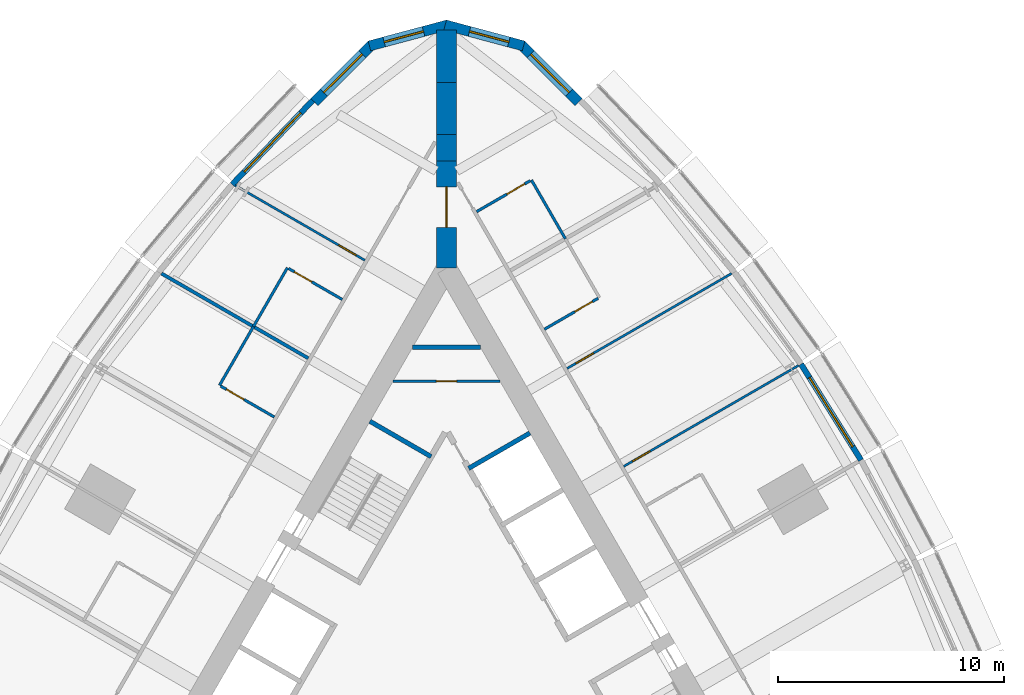
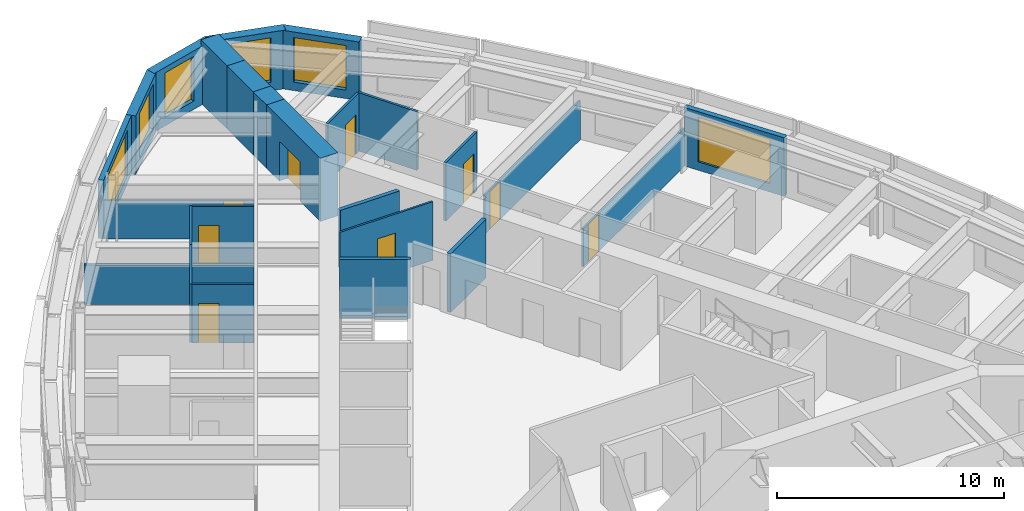
# One storey, part 13 of 15: 25 walls, 9 doors, 6 windows, 15 openings.
"""IFC4 building model written with IfcOpenShell, lengths in metres."""

import ifcopenshell
import ifcopenshell.guid

model = None  # the IFC model being written
_history = None  # IfcOwnerHistory: only IFC2X3 demands one
_inside = {}  # id of a spatial element -> (the spatial element, [elements in it])
_under = {}  # id of a project, library or spatial element -> (it, [spatial elements below it])
_declared = {}  # id of a project -> (the project, [libraries it declares])
_typed = {}  # id of a type object -> (the type object, [elements of that type])
_made_of = {}  # id of a material, layer set ... -> (it, [elements and type objects made of it])


def new_model(schema):
    """Start an empty IFC model of exactly this schema.

    Asked for "IFC4X3", IfcOpenShell would pick the latest addendum, in which some entities
    have other attributes; the version numbers below select the first issue.
    IFC2X3 requires an IfcOwnerHistory on every rooted entity: one is made here for all.
    """
    global model, _history
    if schema == "IFC4X3":
        model = ifcopenshell.file(schema_version=(4, 3, 0, 0))
    else:
        model = ifcopenshell.file(schema=schema)
    _inside.clear()
    _under.clear()
    _declared.clear()
    _typed.clear()
    _made_of.clear()
    _history = None
    if model.schema == "IFC2X3":
        org = make("IfcOrganization", Name="unknown")
        user = make(
            "IfcPersonAndOrganization",
            ThePerson=make("IfcPerson", FamilyName="unknown"),
            TheOrganization=org,
        )
        app = make(
            "IfcApplication",
            ApplicationDeveloper=org,
            Version="unknown",
            ApplicationFullName="unknown",
            ApplicationIdentifier="unknown",
        )
        _history = make(
            "IfcOwnerHistory",
            OwningUser=user,
            OwningApplication=app,
            ChangeAction="ADDED",
            CreationDate=0,
        )
    return model


def make(cls, **values):
    """One entity of the class cls with the attributes given. An attribute that is None is left unset."""
    return model.create_entity(
        cls, **{name: value for name, value in values.items() if value is not None}
    )


def rooted(cls, **values):
    """An entity with a GlobalId (a new one), such as an element, a storey or a relation."""
    return make(cls, GlobalId=ifcopenshell.guid.new(), OwnerHistory=_history, **values)


def si_unit(unit_type, name, prefix=None):
    """IfcSIUnit, for example si_unit("LENGTHUNIT", "METRE", prefix="MILLI")."""
    return make("IfcSIUnit", UnitType=unit_type, Prefix=prefix, Name=name)


def assignment(units):
    """IfcUnitAssignment: the units of a project."""
    return None if units is None else make("IfcUnitAssignment", Units=units)


def point(xyz):
    """IfcCartesianPoint."""
    return None if xyz is None else make("IfcCartesianPoint", Coordinates=xyz)


def direction(xyz):
    """IfcDirection."""
    return None if xyz is None else make("IfcDirection", DirectionRatios=xyz)


def frame(location, z_axis=None, x_axis=None):
    """IfcAxis2Placement3D, a coordinate frame: its origin and axes. An axis left out is left unset."""
    return make(
        "IfcAxis2Placement3D",
        Location=point(location),
        Axis=direction(z_axis),
        RefDirection=direction(x_axis),
    )


def frame_2d(location, x_axis=None):
    """IfcAxis2Placement2D, a coordinate frame in the plane: its origin and x axis."""
    return make(
        "IfcAxis2Placement2D", Location=point(location), RefDirection=direction(x_axis)
    )


def origin():
    """The frame at (0, 0, 0) with its axes left unset."""
    return frame((0.0, 0.0, 0.0))


def place(relative_to, where):
    """IfcLocalPlacement: puts the frame where relative to a parent placement (None: the world)."""
    return make(
        "IfcLocalPlacement", PlacementRelTo=relative_to, RelativePlacement=where
    )


def context(
    kind, dimensions, precision=None, world=None, true_north=None, identifier=None
):
    """IfcGeometricRepresentationContext, for example the 3D "Model" context."""
    return make(
        "IfcGeometricRepresentationContext",
        ContextIdentifier=identifier,
        ContextType=kind,
        CoordinateSpaceDimension=dimensions,
        Precision=precision,
        WorldCoordinateSystem=world,
        TrueNorth=true_north,
    )


def subcontext(parent, identifier, kind, view, scale=None):
    """IfcGeometricRepresentationSubContext, for example "Body" below "Model"."""
    return make(
        "IfcGeometricRepresentationSubContext",
        ContextIdentifier=identifier,
        ContextType=kind,
        ParentContext=parent,
        TargetScale=scale,
        TargetView=view,
    )


def project(units=None, contexts=None):
    """IfcProject with its units and contexts."""
    return rooted(
        "IfcProject",
        Name="project",
        RepresentationContexts=contexts,
        UnitsInContext=assignment(units),
    )


def spatial(cls, under=None, at=None, **own):
    """A site, building, storey or space (cls), placed at a placement, below another one or the project."""
    s = rooted(cls, ObjectPlacement=at, **own)
    if under is not None:
        _under.setdefault(under.id(), (under, []))[1].append(s)
    return s


def polyline(points):
    """IfcPolyline through the points."""
    return make("IfcPolyline", Points=[point(p) for p in points])


def profile(cls, at=None, kind="AREA", **sizes):
    """A parametric profile (cls). Its sizes go by their IFC names, for example OverallWidth=200.0."""
    return make(cls, ProfileType=kind, Position=at, **sizes)


def rectangle(**sizes):
    """IfcRectangleProfileDef."""
    return profile("IfcRectangleProfileDef", **sizes)


def outline(outer, holes=None, kind="AREA"):
    """IfcArbitraryClosedProfileDef: a profile drawn as a closed curve; with holes, ...WithVoids."""
    if holes is None:
        return make("IfcArbitraryClosedProfileDef", ProfileType=kind, OuterCurve=outer)
    return make(
        "IfcArbitraryProfileDefWithVoids",
        ProfileType=kind,
        OuterCurve=outer,
        InnerCurves=holes,
    )


def extrude(swept, where, along, depth):
    """IfcExtrudedAreaSolid: the profile swept, set in the frame where, extruded along a direction by depth."""
    return make(
        "IfcExtrudedAreaSolid",
        SweptArea=swept,
        Position=where,
        ExtrudedDirection=direction(along),
        Depth=depth,
    )


def shape(context_of_items, identifier, shape_type, items):
    """IfcShapeRepresentation: the items that make up one representation, for example the "Body"."""
    return make(
        "IfcShapeRepresentation",
        ContextOfItems=context_of_items,
        RepresentationIdentifier=identifier,
        RepresentationType=shape_type,
        Items=items,
    )


def material(Name=None, Category=None):
    """IfcMaterial."""
    return make("IfcMaterial", Name=Name, Category=Category)


def layer(
    of_material, thickness, ventilated=None, Name=None, Category=None, Priority=None
):
    """IfcMaterialLayer: one layer of a wall or slab, of a material (None: an air gap)."""
    return make(
        "IfcMaterialLayer",
        Material=of_material,
        LayerThickness=thickness,
        IsVentilated=ventilated,
        Name=Name,
        Category=Category,
        Priority=Priority,
    )


def layer_set(layers, Name=None):
    """IfcMaterialLayerSet."""
    return make("IfcMaterialLayerSet", MaterialLayers=layers, LayerSetName=Name)


def made_of(thing, what):
    """Note that an element or type object is made of a material, layer set ...; save() writes the relation."""
    if what is not None:
        _made_of.setdefault(what.id(), (what, []))[1].append(thing)
    return thing


def type_object(cls, material=None, **own):
    """A type object (cls), such as IfcWallType, which elements share."""
    return made_of(rooted(cls, **own), material)


def element(
    cls,
    number,
    at=None,
    inside=None,
    cuts=None,
    type_object=None,
    material=None,
    context=None,
    identifier="Body",
    shape_type=None,
    held_by="IfcProductDefinitionShape",
    body=None,
    shapes=None,
    **own,
):
    """One element of the class cls, such as IfcWall. Its Tag is "e" and its number.

    at: its placement. inside: the storey or other place that contains it. cuts: it is an
    opening in that element (IfcRelVoidsElement). A single representation is given by context,
    identifier, shape_type and body (its items); several are given by shapes. held_by: the class
    of the entity that holds the representations. save() writes the other relations.
    """
    e = rooted(cls, Tag="e%d" % number, ObjectPlacement=at, **own)
    if body is not None:
        shapes = [shape(context, identifier, shape_type, body)]
    if shapes is not None:
        e.Representation = make(held_by, Representations=shapes)
    if inside is not None:
        _inside.setdefault(inside.id(), (inside, []))[1].append(e)
    if cuts is not None:
        rooted(
            "IfcRelVoidsElement", RelatingBuildingElement=cuts, RelatedOpeningElement=e
        )
    if type_object is not None:
        _typed.setdefault(type_object.id(), (type_object, []))[1].append(e)
    return made_of(e, material)


def fill(opening, filler):
    """IfcRelFillsElement: the door or window that sits in an opening."""
    return rooted(
        "IfcRelFillsElement",
        RelatingOpeningElement=opening,
        RelatedBuildingElement=filler,
    )


def aggregate(whole, parts):
    """IfcRelAggregates: a whole, such as a stair, and the parts it consists of."""
    return rooted("IfcRelAggregates", RelatingObject=whole, RelatedObjects=parts)


def save(model, path):
    """Write the relations noted so far, then the file.

    IfcRelAggregates (storeys below a building ...), IfcRelContainedInSpatialStructure (elements
    in a storey), IfcRelDefinesByType, IfcRelAssociatesMaterial and IfcRelDeclares: one each for
    every whole, place, type object, material and project.
    """
    for whole, parts in _under.values():
        aggregate(whole, parts)
    for where, things in _inside.values():
        rooted(
            "IfcRelContainedInSpatialStructure",
            RelatedElements=things,
            RelatingStructure=where,
        )
    for kind, things in _typed.values():
        rooted("IfcRelDefinesByType", RelatedObjects=things, RelatingType=kind)
    for what, things in _made_of.values():
        rooted("IfcRelAssociatesMaterial", RelatedObjects=things, RelatingMaterial=what)
    for by, libraries in _declared.values():
        rooted("IfcRelDeclares", RelatingContext=by, RelatedDefinitions=libraries)
    model.write(path)


model = new_model("IFC4")

# Units and contexts
model_context = context("Model", 3, precision=1e-05, world=origin(), true_north=direction((0.0, 1.0)))
body_context = subcontext(model_context, "Body", "Model", "MODEL_VIEW")
ifc_project = project(units=[si_unit("LENGTHUNIT", "METRE"), si_unit("AREAUNIT", "SQUARE_METRE"), si_unit("VOLUMEUNIT", "CUBIC_METRE"), si_unit("PLANEANGLEUNIT", "RADIAN"), si_unit("MASSUNIT", "GRAM", prefix="KILO")], contexts=[model_context])

# Site, building, storey
site_placement = place(None, origin())
site = spatial("IfcSite", under=ifc_project, at=site_placement, CompositionType="ELEMENT")
building_placement = place(site_placement, origin())
building = spatial("IfcBuilding", under=site, at=building_placement, Name="Trikona Tower", CompositionType="ELEMENT")
storey_placement = place(building_placement, frame((0.0, 0.0, 186.10009765625)))
storey = spatial("IfcBuildingStorey", under=building, at=storey_placement, Name="L50", CompositionType="ELEMENT", Elevation=186.10009765625)

# Wall, opening, door
ifc_material_1 = material(Name="Metal stud and cement board", Category="gypsum")
ifc_layer_1 = layer(ifc_material_1, 0.1201171875)
ifc_layer_set_1 = layer_set([ifc_layer_1], Name="Bathroom wall 120")
wall_type_1 = type_object("IfcWallType", Name="Bathroom wall 120", PredefinedType="PLUMBINGWALL", material=ifc_layer_set_1)
wall_1_placement = place(storey_placement, frame((4.32861328125, 16.35546875, 0.0), z_axis=(0.0, 0.0, 1.0), x_axis=(0.866035715982, 0.499982138324, 0.0)))
wall_1 = element("IfcWall", 1, at=wall_1_placement, inside=storey, type_object=wall_type_1, Name="Bathroom wall 5007.2", PredefinedType="PLUMBINGWALL", context=body_context, shape_type="SweptSolid", body=[
    extrude(rectangle(XDim=2.73974609375, YDim=0.1201171875, at=frame_2d((1.369873046875, 0.0))), origin(), (0.0, 0.0, 1.0), 3.14990234375),
])
opening_1_placement = place(wall_1_placement, frame((1.550048828125, 0.0, 0.0)))
opening_1 = element("IfcOpeningElement", 2, at=opening_1_placement, cuts=wall_1, Name="Opening D2", PredefinedType="OPENING", context=body_context, shape_type="SweptSolid", body=[
    extrude(rectangle(XDim=0.89990234375, YDim=2.1298828125, at=frame_2d((0.449951171875, 1.06494140625))), frame((0.0, 0.070068359375, 0.0), z_axis=(0.0, -1.0, 0.0), x_axis=(1.0, 0.0, 0.0)), (0.0, 0.0, 1.0), 0.14013671875),
])
ifc_material_2 = material(Name="Steel door frame with solid-core timber leaf", Category="steel")
door_type_1 = type_object("IfcDoorType", Name="Bathroom door 900x2130", OperationType="SLIDING_TO_LEFT", PredefinedType="DOOR", material=ifc_material_2)
door_1_placement = place(opening_1_placement, origin())
door_1 = element("IfcDoor", 3, at=door_1_placement, inside=storey, type_object=door_type_1, Name="Bathroom door 5007.2", OperationType="SLIDING_TO_LEFT", OverallHeight=2.1298828125, OverallWidth=0.89990234375, PredefinedType="DOOR", context=body_context, shape_type="SweptSolid", body=[
    extrude(rectangle(XDim=0.89990234375, YDim=2.1298828125, at=frame_2d((0.449951171875, 1.06494140625))), frame((0.0, 0.02490234375, 0.0), z_axis=(0.0, -1.0, 0.0), x_axis=(1.0, 0.0, 0.0)), (0.0, 0.0, 1.0), 0.050048828125),
])
fill(opening_1, door_1)

# Wall
wall_2_placement = place(storey_placement, frame((5.25341796875, 20.353515625, 0.0), z_axis=(0.0, 0.0, 1.0), x_axis=(-0.499990139034, 0.866031096941, 0.0)))
element("IfcWall", 4, at=wall_2_placement, inside=storey, type_object=wall_type_1, Name="Bathroom wall 5008", PredefinedType="PLUMBINGWALL", context=body_context, shape_type="SweptSolid", body=[
    extrude(rectangle(XDim=3.0, YDim=0.1201171875, at=frame_2d((1.5, 0.0))), origin(), (0.0, 0.0, 1.0), 3.14990234375),
])

# Wall, opening, door
wall_3_placement = place(storey_placement, frame((1.32861328125, 21.551513671875, 0.0), z_axis=(0.0, 0.0, 1.0), x_axis=(0.865997131366, 0.500048966069, 0.0)))
wall_3 = element("IfcWall", 5, at=wall_3_placement, inside=storey, type_object=wall_type_1, Name="Bathroom wall 5008", PredefinedType="PLUMBINGWALL", context=body_context, shape_type="SweptSolid", body=[
    extrude(rectangle(XDim=2.739990234375, YDim=0.1201171875, at=frame_2d((1.3701171875, 0.0))), origin(), (0.0, 0.0, 1.0), 3.14990234375),
])
opening_2_placement = place(wall_3_placement, frame((1.550048828125, 0.0, 0.0)))
opening_2 = element("IfcOpeningElement", 6, at=opening_2_placement, cuts=wall_3, Name="Opening D2", PredefinedType="OPENING", context=body_context, shape_type="SweptSolid", body=[
    extrude(rectangle(XDim=0.89990234375, YDim=2.1298828125, at=frame_2d((0.449951171875, 1.06494140625))), frame((0.0, 0.070068359375, 0.0), z_axis=(0.0, -1.0, 0.0), x_axis=(1.0, 0.0, 0.0)), (0.0, 0.0, 1.0), 0.14013671875),
])
door_2_placement = place(opening_2_placement, origin())
door_2 = element("IfcDoor", 7, at=door_2_placement, inside=storey, type_object=door_type_1, Name="Bathroom door 5008", OperationType="SLIDING_TO_LEFT", OverallHeight=2.1298828125, OverallWidth=0.89990234375, PredefinedType="DOOR", context=body_context, shape_type="SweptSolid", body=[
    extrude(rectangle(XDim=0.89990234375, YDim=2.1298828125, at=frame_2d((0.449951171875, 1.06494140625))), frame((0.0, 0.02490234375, 0.0), z_axis=(0.0, -1.0, 0.0), x_axis=(1.0, 0.0, 0.0)), (0.0, 0.0, 1.0), 0.050048828125),
])
fill(opening_2, door_2)

# Wall
wall_4_placement = place(storey_placement, frame((-7.03271484375, 19.071533203125, 0.0), z_axis=(0.0, 0.0, 1.0), x_axis=(-0.499990139034, -0.866031096941, 0.0)))
element("IfcWall", 8, at=wall_4_placement, inside=storey, type_object=wall_type_1, Name="Bathroom wall 5009.1", PredefinedType="PLUMBINGWALL", context=body_context, shape_type="SweptSolid", body=[
    extrude(rectangle(XDim=3.0, YDim=0.1201171875, at=frame_2d((1.5, 0.0))), origin(), (0.0, 0.0, 1.0), 3.14990234375),
])

# Wall, opening, door
wall_5_placement = place(storey_placement, frame((-4.60791015625, 17.67138671875, 0.0), z_axis=(0.0, 0.0, 1.0), x_axis=(-0.865997131366, 0.500048966069, 0.0)))
wall_5 = element("IfcWall", 9, at=wall_5_placement, inside=storey, type_object=wall_type_1, Name="Bathroom wall 5009.1", PredefinedType="PLUMBINGWALL", context=body_context, shape_type="SweptSolid", body=[
    extrude(rectangle(XDim=2.739990234375, YDim=0.1201171875, at=frame_2d((1.3701171875, 0.0))), origin(), (0.0, 0.0, 1.0), 3.14990234375),
])
opening_3_placement = place(wall_5_placement, frame((1.550048828125, 0.0, 0.0)))
opening_3 = element("IfcOpeningElement", 10, at=opening_3_placement, cuts=wall_5, Name="Opening D2", PredefinedType="OPENING", context=body_context, shape_type="SweptSolid", body=[
    extrude(rectangle(XDim=0.89990234375, YDim=2.1298828125, at=frame_2d((0.449951171875, 1.06494140625))), frame((0.0, 0.070068359375, 0.0), z_axis=(0.0, -1.0, 0.0), x_axis=(1.0, 0.0, 0.0)), (0.0, 0.0, 1.0), 0.14013671875),
])
door_3_placement = place(opening_3_placement, origin())
door_3 = element("IfcDoor", 11, at=door_3_placement, inside=storey, type_object=door_type_1, Name="Bathroom door 5009.1", OperationType="SLIDING_TO_LEFT", OverallHeight=2.1298828125, OverallWidth=0.89990234375, PredefinedType="DOOR", context=body_context, shape_type="SweptSolid", body=[
    extrude(rectangle(XDim=0.89990234375, YDim=2.1298828125, at=frame_2d((0.449951171875, 1.06494140625))), frame((0.0, 0.02490234375, 0.0), z_axis=(0.0, -1.0, 0.0), x_axis=(1.0, 0.0, 0.0)), (0.0, 0.0, 1.0), 0.050048828125),
])
fill(opening_3, door_3)

# Wall
wall_6_placement = place(storey_placement, frame((-8.53271484375, 16.473388671875, 0.0), z_axis=(0.0, 0.0, 1.0), x_axis=(-0.499990139034, -0.866031096941, 0.0)))
element("IfcWall", 12, at=wall_6_placement, inside=storey, type_object=wall_type_1, Name="Bathroom wall 5010.1", PredefinedType="PLUMBINGWALL", context=body_context, shape_type="SweptSolid", body=[
    extrude(rectangle(XDim=3.0, YDim=0.1201171875, at=frame_2d((1.5, 0.0))), origin(), (0.0, 0.0, 1.0), 3.14990234375),
])

# Wall, opening, door
wall_7_placement = place(storey_placement, frame((-7.60791015625, 12.475341796875, 0.0), z_axis=(0.0, 0.0, 1.0), x_axis=(-0.866035715982, 0.499982138324, 0.0)))
wall_7 = element("IfcWall", 13, at=wall_7_placement, inside=storey, type_object=wall_type_1, Name="Bathroom wall 5010.1", PredefinedType="PLUMBINGWALL", context=body_context, shape_type="SweptSolid", body=[
    extrude(rectangle(XDim=2.73974609375, YDim=0.1201171875, at=frame_2d((1.369873046875, 0.0))), origin(), (0.0, 0.0, 1.0), 3.14990234375),
])
opening_4_placement = place(wall_7_placement, frame((1.550048828125, 0.0, 0.0)))
opening_4 = element("IfcOpeningElement", 14, at=opening_4_placement, cuts=wall_7, Name="Opening D2", PredefinedType="OPENING", context=body_context, shape_type="SweptSolid", body=[
    extrude(rectangle(XDim=0.89990234375, YDim=2.1298828125, at=frame_2d((0.449951171875, 1.06494140625))), frame((0.0, 0.070068359375, 0.0), z_axis=(0.0, -1.0, 0.0), x_axis=(1.0, 0.0, 0.0)), (0.0, 0.0, 1.0), 0.14013671875),
])
door_4_placement = place(opening_4_placement, origin())
door_4 = element("IfcDoor", 15, at=door_4_placement, inside=storey, type_object=door_type_1, Name="Bathroom door 5010.1", OperationType="SLIDING_TO_LEFT", OverallHeight=2.1298828125, OverallWidth=0.89990234375, PredefinedType="DOOR", context=body_context, shape_type="SweptSolid", body=[
    extrude(rectangle(XDim=0.89990234375, YDim=2.1298828125, at=frame_2d((0.449951171875, 1.06494140625))), frame((0.0, 0.02490234375, 0.0), z_axis=(0.0, -1.0, 0.0), x_axis=(1.0, 0.0, 0.0)), (0.0, 0.0, 1.0), 0.050048828125),
])
fill(opening_4, door_4)

# Wall, opening, window
ifc_material_3 = material(Name="Brick-faced precast concrete", Category="masonry")
ifc_layer_2 = layer(ifc_material_3, 0.449951171875)
ifc_layer_set_2 = layer_set([ifc_layer_2], Name="Brick-faced corner wall 450")
wall_type_2 = type_object("IfcWallType", Name="Brick-faced corner wall 450", PredefinedType="SOLIDWALL", material=ifc_layer_set_2)
wall_8_placement = place(storey_placement, frame((5.8408203125, 26.39892578125, 0.0), z_axis=(0.0, 0.0, 1.0), x_axis=(-0.707106781187, 0.707106781187, 0.0)))
wall_8 = element("IfcWall", 16, at=wall_8_placement, inside=storey, type_object=wall_type_2, Name="External wall L50-20", PredefinedType="SOLIDWALL", context=body_context, shape_type="SweptSolid", body=[
    extrude(rectangle(XDim=3.586181640625, YDim=0.449951171875, at=frame_2d((1.79296875, 0.0))), origin(), (0.0, 0.0, 1.0), 3.14990234375),
])
opening_5_placement = place(wall_8_placement, frame((0.59326171875, 0.0, 0.449951171875)))
opening_5 = element("IfcOpeningElement", 17, at=opening_5_placement, cuts=wall_8, Name="Opening W2424", PredefinedType="OPENING", context=body_context, shape_type="SweptSolid", body=[
    extrude(rectangle(XDim=2.39990234375, YDim=2.39990234375, at=frame_2d((1.199951171875, 1.199951171875))), frame((0.0, 0.23486328125, 0.0), z_axis=(0.0, -1.0, 0.0), x_axis=(1.0, 0.0, 0.0)), (0.0, 0.0, 1.0), 0.469970703125),
])
ifc_material_4 = material(Name="Aluminium-framed double glazing", Category="aluminium")
window_type_1 = type_object("IfcWindowType", Name="Window 2400x2400", PartitioningType="SINGLE_PANEL", PredefinedType="WINDOW", material=ifc_material_4)
window_1_placement = place(opening_5_placement, origin())
window_1 = element("IfcWindow", 18, at=window_1_placement, inside=storey, type_object=window_type_1, Name="Window 5008", OverallHeight=2.39990234375, OverallWidth=2.39990234375, PartitioningType="SINGLE_PANEL", PredefinedType="WINDOW", context=body_context, shape_type="SweptSolid", body=[
    extrude(rectangle(XDim=2.39990234375, YDim=2.39990234375, at=frame_2d((1.199951171875, 1.199951171875))), frame((0.0, 0.030029296875, 0.0), z_axis=(0.0, -1.0, 0.0), x_axis=(1.0, 0.0, 0.0)), (0.0, 0.0, 1.0), 0.06005859375),
])
fill(opening_5, window_1)

wall_9_placement = place(storey_placement, frame((3.406005859375, 28.876708984375, 0.0), z_axis=(0.0, 0.0, 1.0), x_axis=(-0.965924653531, 0.258823421857, 0.0)))
wall_9 = element("IfcWall", 19, at=wall_9_placement, inside=storey, type_object=wall_type_2, Name="External wall L50-21", PredefinedType="SOLIDWALL", context=body_context, shape_type="SweptSolid", body=[
    extrude(outline(polyline([(3.58642578125, 0.22509765625), (3.526611328125, 0.22509765625), (3.035400390625, 0.09326171875), (3.0, 0.22509765625), (0.0, 0.22509765625), (0.0, -0.22509765625), (3.58642578125, -0.22509765625), (3.58642578125, 0.22509765625)])), origin(), (0.0, 0.0, 1.0), 3.14990234375),
])
opening_6_placement = place(wall_9_placement, frame((0.6748046875, 0.0, 0.449951171875)))
opening_6 = element("IfcOpeningElement", 20, at=opening_6_placement, cuts=wall_9, Name="Opening W1824", PredefinedType="OPENING", context=body_context, shape_type="SweptSolid", body=[
    extrude(rectangle(XDim=1.800048828125, YDim=2.39990234375, at=frame_2d((0.89990234375, 1.199951171875))), frame((0.0, 0.23486328125, 0.0), z_axis=(0.0, -1.0, 0.0), x_axis=(1.0, 0.0, 0.0)), (0.0, 0.0, 1.0), 0.469970703125),
])
ifc_material_5 = material(Name="Aluminium-framed double glazing", Category="aluminium")
window_type_2 = type_object("IfcWindowType", Name="Window 1800x2400", PartitioningType="SINGLE_PANEL", PredefinedType="WINDOW", material=ifc_material_5)
window_2_placement = place(opening_6_placement, origin())
window_2 = element("IfcWindow", 21, at=window_2_placement, inside=storey, type_object=window_type_2, Name="Window 5008", OverallHeight=2.39990234375, OverallWidth=1.800048828125, PartitioningType="SINGLE_PANEL", PredefinedType="WINDOW", context=body_context, shape_type="SweptSolid", body=[
    extrude(rectangle(XDim=1.800048828125, YDim=2.39990234375, at=frame_2d((0.89990234375, 1.199951171875))), frame((0.0, 0.030029296875, 0.0), z_axis=(0.0, -1.0, 0.0), x_axis=(1.0, 0.0, 0.0)), (0.0, 0.0, 1.0), 0.06005859375),
])
fill(opening_6, window_2)

wall_10_placement = place(storey_placement, frame((0.05810546875, 29.804931640625, 0.0), z_axis=(0.0, 0.0, 1.0), x_axis=(-0.965924653531, -0.258823421857, 0.0)))
wall_10 = element("IfcWall", 22, at=wall_10_placement, inside=storey, type_object=wall_type_2, Name="External wall L50-22", PredefinedType="SOLIDWALL", context=body_context, shape_type="SweptSolid", body=[
    extrude(outline(polyline([(3.58642578125, 0.22509765625), (0.58642578125, 0.22509765625), (0.551025390625, 0.09326171875), (0.0595703125, 0.22509765625), (0.0, 0.22509765625), (0.0, -0.22509765625), (3.58642578125, -0.22509765625), (3.58642578125, 0.22509765625)])), origin(), (0.0, 0.0, 1.0), 3.14990234375),
])
opening_7_placement = place(wall_10_placement, frame((1.111328125, 0.0, 0.449951171875)))
opening_7 = element("IfcOpeningElement", 23, at=opening_7_placement, cuts=wall_10, Name="Opening W1824", PredefinedType="OPENING", context=body_context, shape_type="SweptSolid", body=[
    extrude(rectangle(XDim=1.800048828125, YDim=2.39990234375, at=frame_2d((0.89990234375, 1.199951171875))), frame((0.0, 0.23486328125, 0.0), z_axis=(0.0, -1.0, 0.0), x_axis=(1.0, 0.0, 0.0)), (0.0, 0.0, 1.0), 0.469970703125),
])
window_3_placement = place(opening_7_placement, origin())
window_3 = element("IfcWindow", 24, at=window_3_placement, inside=storey, type_object=window_type_2, Name="Window 5009", OverallHeight=2.39990234375, OverallWidth=1.800048828125, PartitioningType="SINGLE_PANEL", PredefinedType="WINDOW", context=body_context, shape_type="SweptSolid", body=[
    extrude(rectangle(XDim=1.800048828125, YDim=2.39990234375, at=frame_2d((0.89990234375, 1.199951171875))), frame((0.0, 0.030029296875, 0.0), z_axis=(0.0, -1.0, 0.0), x_axis=(1.0, 0.0, 0.0)), (0.0, 0.0, 1.0), 0.06005859375),
])
fill(opening_7, window_3)

wall_11_placement = place(storey_placement, frame((-3.304931640625, 28.934814453125, 0.0), z_axis=(0.0, 0.0, 1.0), x_axis=(-0.707106781187, -0.707106781187, 0.0)))
wall_11 = element("IfcWall", 25, at=wall_11_placement, inside=storey, type_object=wall_type_2, Name="External wall L50-23", PredefinedType="SOLIDWALL", context=body_context, shape_type="SweptSolid", body=[
    extrude(rectangle(XDim=3.586181640625, YDim=0.449951171875, at=frame_2d((1.79296875, 0.0))), origin(), (0.0, 0.0, 1.0), 3.14990234375),
])
opening_8_placement = place(wall_11_placement, frame((0.59326171875, 0.0, 0.449951171875)))
opening_8 = element("IfcOpeningElement", 26, at=opening_8_placement, cuts=wall_11, Name="Opening W2424", PredefinedType="OPENING", context=body_context, shape_type="SweptSolid", body=[
    extrude(rectangle(XDim=2.39990234375, YDim=2.39990234375, at=frame_2d((1.199951171875, 1.199951171875))), frame((0.0, 0.23486328125, 0.0), z_axis=(0.0, -1.0, 0.0), x_axis=(1.0, 0.0, 0.0)), (0.0, 0.0, 1.0), 0.469970703125),
])
window_4_placement = place(opening_8_placement, origin())
window_4 = element("IfcWindow", 27, at=window_4_placement, inside=storey, type_object=window_type_1, Name="Window 5009", OverallHeight=2.39990234375, OverallWidth=2.39990234375, PartitioningType="SINGLE_PANEL", PredefinedType="WINDOW", context=body_context, shape_type="SweptSolid", body=[
    extrude(rectangle(XDim=2.39990234375, YDim=2.39990234375, at=frame_2d((1.199951171875, 1.199951171875))), frame((0.0, 0.030029296875, 0.0), z_axis=(0.0, -1.0, 0.0), x_axis=(1.0, 0.0, 0.0)), (0.0, 0.0, 1.0), 0.06005859375),
])
fill(opening_8, window_4)

# Wall, opening, door
ifc_material_6 = material(Name="Concrete f'c 10000 psi", Category="concrete")
ifc_layer_3 = layer(ifc_material_6, 0.89990234375)
ifc_layer_set_3 = layer_set([ifc_layer_3], Name="Buttress wall 900")
wall_type_3 = type_object("IfcWallType", Name="Buttress wall 900", PredefinedType="SHEAR", material=ifc_layer_set_3)
wall_12_placement = place(storey_placement, frame((0.0, 19.052490234375, 0.0), z_axis=(0.0, 0.0, 1.0), x_axis=(0.0, 1.0, 0.0)))
wall_12 = element("IfcWall", 28, at=wall_12_placement, inside=storey, type_object=wall_type_3, Name="Buttress wall 2", PredefinedType="SHEAR", context=body_context, shape_type="SweptSolid", body=[
    extrude(rectangle(XDim=4.74609375, YDim=0.89990234375, at=frame_2d((2.373046875, 0.0))), origin(), (0.0, 0.0, 1.0), 3.39990234375),
])
opening_9_placement = place(wall_12_placement, frame((1.800048828125, 0.0, 0.0)))
opening_9 = element("IfcOpeningElement", 29, at=opening_9_placement, cuts=wall_12, Name="Opening D10", PredefinedType="OPENING", context=body_context, shape_type="SweptSolid", body=[
    extrude(rectangle(XDim=1.800048828125, YDim=2.1298828125, at=frame_2d((0.89990234375, 1.06494140625))), frame((0.0, 0.4599609375, 0.0), z_axis=(0.0, -1.0, 0.0), x_axis=(1.0, 0.0, 0.0)), (0.0, 0.0, 1.0), 0.919921875),
])
ifc_material_7 = material(Name="Hollow metal door and frame", Category="steel")
door_type_2 = type_object("IfcDoorType", Name="Cross-corridor door pair 1800x2130", OperationType="DOUBLE_DOOR_DOUBLE_SWING", PredefinedType="DOOR", material=ifc_material_7)
door_5_placement = place(opening_9_placement, origin())
door_5 = element("IfcDoor", 30, at=door_5_placement, inside=storey, type_object=door_type_2, Name="Cross-corridor door 2", OperationType="DOUBLE_DOOR_DOUBLE_SWING", OverallHeight=2.1298828125, OverallWidth=1.800048828125, PredefinedType="DOOR", context=body_context, shape_type="SweptSolid", body=[
    extrude(rectangle(XDim=1.800048828125, YDim=2.1298828125, at=frame_2d((0.89990234375, 1.06494140625))), frame((0.0, 0.02490234375, 0.0), z_axis=(0.0, -1.0, 0.0), x_axis=(1.0, 0.0, 0.0)), (0.0, 0.0, 1.0), 0.050048828125),
])
fill(opening_9, door_5)

# Walls
wall_13_placement = place(storey_placement, frame((0.0, 23.798583984375, 0.0), z_axis=(0.0, 0.0, 1.0), x_axis=(0.0, 1.0, 0.0)))
element("IfcWall", 31, at=wall_13_placement, inside=storey, type_object=wall_type_3, Name="Buttress wall 2 part 2", PredefinedType="SHEAR", context=body_context, shape_type="SweptSolid", body=[
    extrude(rectangle(XDim=1.15478515625, YDim=0.89990234375, at=frame_2d((0.577392578125, 0.0))), origin(), (0.0, 0.0, 1.0), 3.39990234375),
])
wall_14_placement = place(storey_placement, frame((0.0, 24.953369140625, 0.0), z_axis=(0.0, 0.0, 1.0), x_axis=(0.0, 1.0, 0.0)))
element("IfcWall", 32, at=wall_14_placement, inside=storey, type_object=wall_type_3, Name="Buttress wall 2 part 3", PredefinedType="SHEAR", context=body_context, shape_type="SweptSolid", body=[
    extrude(rectangle(XDim=2.309326171875, YDim=0.89990234375, at=frame_2d((1.15478515625, 0.0))), origin(), (0.0, 0.0, 1.0), 3.39990234375),
])
wall_15_placement = place(storey_placement, frame((0.0, 27.2626953125, 0.0), z_axis=(0.0, 0.0, 1.0), x_axis=(0.0, 1.0, 0.0)))
element("IfcWall", 33, at=wall_15_placement, inside=storey, type_object=wall_type_3, Name="Buttress wall 2 part 4", PredefinedType="SHEAR", context=body_context, shape_type="SweptSolid", body=[
    extrude(rectangle(XDim=2.3095703125, YDim=0.89990234375, at=frame_2d((1.15478515625, 0.0))), origin(), (0.0, 0.0, 1.0), 3.39990234375),
])

# Wall, opening, window
ifc_material_8 = material(Name="Insulated precast concrete spandrel panel", Category="concrete")
ifc_layer_4 = layer(ifc_material_8, 0.25)
ifc_layer_set_4 = layer_set([ifc_layer_4], Name="Inner skin wall 250")
wall_type_4 = type_object("IfcWallType", Name="Inner skin wall 250", PredefinedType="STANDARD", material=ifc_layer_set_4)
wall_16_placement = place(storey_placement, frame((18.31884765625, 10.5712890625, 0.0), z_axis=(0.0, 0.0, 1.0), x_axis=(-0.529990167382, 0.84800378683, 0.0)))
wall_16 = element("IfcWall", 34, at=wall_16_placement, inside=storey, type_object=wall_type_4, Name="External wall L50-16", PredefinedType="STANDARD", context=body_context, shape_type="SweptSolid", body=[
    extrude(rectangle(XDim=5.003173828125, YDim=0.25, at=frame_2d((2.50146484375, 0.0))), origin(), (0.0, 0.0, 1.0), 3.14990234375),
])
opening_10_placement = place(wall_16_placement, frame((0.701416015625, 0.0, 0.449951171875)))
opening_10 = element("IfcOpeningElement", 35, at=opening_10_placement, cuts=wall_16, Name="Opening W3624", PredefinedType="OPENING", context=body_context, shape_type="SweptSolid", body=[
    extrude(rectangle(XDim=3.60009765625, YDim=2.39990234375, at=frame_2d((1.800048828125, 1.199951171875))), frame((0.0, 0.135009765625, 0.0), z_axis=(0.0, -1.0, 0.0), x_axis=(1.0, 0.0, 0.0)), (0.0, 0.0, 1.0), 0.27001953125),
])
ifc_material_9 = material(Name="Aluminium-framed double glazing", Category="aluminium")
window_type_3 = type_object("IfcWindowType", Name="Window 3600x2400", PartitioningType="SINGLE_PANEL", PredefinedType="WINDOW", material=ifc_material_9)
window_5_placement = place(opening_10_placement, origin())
window_5 = element("IfcWindow", 36, at=window_5_placement, inside=storey, type_object=window_type_3, Name="Window 5007.1", OverallHeight=2.39990234375, OverallWidth=3.60009765625, PartitioningType="SINGLE_PANEL", PredefinedType="WINDOW", context=body_context, shape_type="SweptSolid", body=[
    extrude(rectangle(XDim=3.60009765625, YDim=2.39990234375, at=frame_2d((1.800048828125, 1.199951171875))), frame((0.0, 0.030029296875, 0.0), z_axis=(0.0, -1.0, 0.0), x_axis=(1.0, 0.0, 0.0)), (0.0, 0.0, 1.0), 0.06005859375),
])
fill(opening_10, window_5)

wall_17_placement = place(storey_placement, frame((-5.90966796875, 26.4716796875, 0.0), z_axis=(0.0, 0.0, 1.0), x_axis=(-0.691719937936, -0.722165858693, 0.0)))
wall_17 = element("IfcWall", 37, at=wall_17_placement, inside=storey, type_object=wall_type_4, Name="External wall L50-24", PredefinedType="STANDARD", context=body_context, shape_type="SweptSolid", body=[
    extrude(rectangle(XDim=5.148193359375, YDim=0.25, at=frame_2d((2.57421875, 0.0))), origin(), (0.0, 0.0, 1.0), 3.14990234375),
])
opening_11_placement = place(wall_17_placement, frame((0.77392578125, 0.0, 0.449951171875)))
opening_11 = element("IfcOpeningElement", 38, at=opening_11_placement, cuts=wall_17, Name="Opening W3624", PredefinedType="OPENING", context=body_context, shape_type="SweptSolid", body=[
    extrude(rectangle(XDim=3.60009765625, YDim=2.39990234375, at=frame_2d((1.800048828125, 1.199951171875))), frame((0.0, 0.135009765625, 0.0), z_axis=(0.0, -1.0, 0.0), x_axis=(1.0, 0.0, 0.0)), (0.0, 0.0, 1.0), 0.27001953125),
])
window_6_placement = place(opening_11_placement, origin())
window_6 = element("IfcWindow", 39, at=window_6_placement, inside=storey, type_object=window_type_3, Name="Window 5009", OverallHeight=2.39990234375, OverallWidth=3.60009765625, PartitioningType="SINGLE_PANEL", PredefinedType="WINDOW", context=body_context, shape_type="SweptSolid", body=[
    extrude(rectangle(XDim=3.60009765625, YDim=2.39990234375, at=frame_2d((1.800048828125, 1.199951171875))), frame((0.0, 0.030029296875, 0.0), z_axis=(0.0, -1.0, 0.0), x_axis=(1.0, 0.0, 0.0)), (0.0, 0.0, 1.0), 0.06005859375),
])
fill(opening_11, window_6)

# Walls
ifc_material_10 = material(Name="Metal stud and gypsum board, 1-hour acoustic", Category="gypsum")
ifc_layer_5 = layer(ifc_material_10, 0.14990234375)
ifc_layer_set_5 = layer_set([ifc_layer_5], Name="Party wall 150")
wall_type_5 = type_object("IfcWallType", Name="Party wall 150", PredefinedType="PARTITIONING", material=ifc_layer_set_5)
wall_18_placement = place(storey_placement, frame((-6.10791015625, 15.073486328125, 0.0), z_axis=(0.0, 0.0, 1.0), x_axis=(-0.866025567496, 0.499999716443, 0.0)))
element("IfcWall", 40, at=wall_18_placement, inside=storey, type_object=wall_type_5, Name="Partition L50 F3 u-10", PredefinedType="PARTITIONING", context=body_context, shape_type="SweptSolid", body=[
    extrude(rectangle(XDim=7.4951171875, YDim=0.14990234375, at=frame_2d((3.74755859375, 0.0))), origin(), (0.0, 0.0, 1.0), 2.1083984375),
])
ifc_material_11 = material(Name="Concrete f'c 8000 psi", Category="concrete")
ifc_layer_6 = layer(ifc_material_11, 0.199951171875)
ifc_layer_set_6 = layer_set([ifc_layer_6], Name="Shaft wall 200")
wall_type_6 = type_object("IfcWallType", Name="Shaft wall 200", PredefinedType="SOLIDWALL", material=ifc_layer_set_6)
wall_19_placement = place(storey_placement, frame((0.97900390625, 10.20703125, 0.0), z_axis=(0.0, 0.0, 1.0), x_axis=(0.866022959057, 0.500004234368, 0.0)))
element("IfcWall", 41, at=wall_19_placement, inside=storey, type_object=wall_type_6, Name="Shaft wall B6", PredefinedType="SOLIDWALL", context=body_context, shape_type="SweptSolid", body=[
    extrude(rectangle(XDim=3.125, YDim=0.199951171875, at=frame_2d((1.5625, 0.0))), origin(), (0.0, 0.0, 1.0), 3.14990234375),
])
wall_20_placement = place(storey_placement, frame((-1.501220703125, 15.552490234375, 0.0), z_axis=(0.0, 0.0, 1.0), x_axis=(1.0, 0.0, 0.0)))
element("IfcWall", 42, at=wall_20_placement, inside=storey, type_object=wall_type_6, Name="Riser wall L50-RS2", PredefinedType="SOLIDWALL", context=body_context, shape_type="SweptSolid", body=[
    extrude(rectangle(XDim=3.00244140625, YDim=0.199951171875, at=frame_2d((1.501220703125, 0.0))), origin(), (0.0, 0.0, 1.0), 3.14990234375),
])
ifc_material_12 = material(Name="Concrete f'c 8000 psi", Category="concrete")
ifc_layer_7 = layer(ifc_material_12, 0.199951171875)
ifc_layer_set_7 = layer_set([ifc_layer_7], Name="Shaft wall 200 load-bearing")
wall_type_7 = type_object("IfcWallType", Name="Shaft wall 200 load-bearing", PredefinedType="SOLIDWALL", material=ifc_layer_set_7)
wall_21_placement = place(storey_placement, frame((-0.678955078125, 10.7265625, 0.0), z_axis=(0.0, 0.0, 1.0), x_axis=(-0.866022959057, 0.500004234368, 0.0)))
element("IfcWall", 43, at=wall_21_placement, inside=storey, type_object=wall_type_7, Name="Shaft wall C1", PredefinedType="SOLIDWALL", context=body_context, shape_type="SweptSolid", body=[
    extrude(rectangle(XDim=3.125, YDim=0.199951171875, at=frame_2d((1.5625, 0.0))), origin(), (0.0, 0.0, 1.0), 3.14990234375),
])

# Wall, opening, door
ifc_material_13 = material(Name="Metal stud and gypsum board, acoustic", Category="gypsum")
ifc_layer_8 = layer(ifc_material_13, 0.10009765625)
ifc_layer_set_8 = layer_set([ifc_layer_8], Name="Suite partition 100")
wall_type_8 = type_object("IfcWallType", Name="Suite partition 100", PredefinedType="PARTITIONING", material=ifc_layer_set_8)
wall_22_placement = place(storey_placement, frame((7.82861328125, 10.293212890625, 0.0), z_axis=(0.0, 0.0, 1.0), x_axis=(0.866027015393, 0.499997208602, 0.0)))
wall_22 = element("IfcWall", 44, at=wall_22_placement, inside=storey, type_object=wall_type_8, Name="Suite partition L50 F2 u5", PredefinedType="PARTITIONING", context=body_context, shape_type="SweptSolid", body=[
    extrude(rectangle(XDim=8.92236328125, YDim=0.10009765625, at=frame_2d((4.461181640625, 0.0))), origin(), (0.0, 0.0, 1.0), 2.0498046875),
])
opening_12_placement = place(wall_22_placement, frame((0.449951171875, 0.0, 0.0)))
opening_12 = element("IfcOpeningElement", 45, at=opening_12_placement, cuts=wall_22, Name="Opening D16", PredefinedType="OPENING", context=body_context, shape_type="SweptSolid", body=[
    extrude(rectangle(XDim=0.89990234375, YDim=2.031982421875, at=frame_2d((0.449951171875, 1.01611328125))), frame((0.0, 0.06005859375, 0.0), z_axis=(0.0, -1.0, 0.0), x_axis=(1.0, 0.0, 0.0)), (0.0, 0.0, 1.0), 0.1201171875),
])
ifc_material_14 = material(Name="Steel door frame with solid-core timber leaf", Category="steel")
door_type_3 = type_object("IfcDoorType", Name="Suite door 900x2032", OperationType="SINGLE_SWING_LEFT", PredefinedType="DOOR", material=ifc_material_14)
door_6_placement = place(opening_12_placement, origin())
door_6 = element("IfcDoor", 46, at=door_6_placement, inside=storey, type_object=door_type_3, Name="Suite door 5007", OperationType="SINGLE_SWING_LEFT", OverallHeight=2.031982421875, OverallWidth=0.89990234375, PredefinedType="DOOR", context=body_context, shape_type="SweptSolid", body=[
    extrude(rectangle(XDim=0.89990234375, YDim=2.031982421875, at=frame_2d((0.449951171875, 1.01611328125))), frame((0.0, 0.02490234375, 0.0), z_axis=(0.0, -1.0, 0.0), x_axis=(1.0, 0.0, 0.0)), (0.0, 0.0, 1.0), 0.050048828125),
])
fill(opening_12, door_6)

wall_23_placement = place(storey_placement, frame((5.32861328125, 14.623291015625, 0.0), z_axis=(0.0, 0.0, 1.0), x_axis=(0.866011723728, 0.500023693804, 0.0)))
wall_23 = element("IfcWall", 47, at=wall_23_placement, inside=storey, type_object=wall_type_8, Name="Suite partition L50 F2 u10", PredefinedType="PARTITIONING", context=body_context, shape_type="SweptSolid", body=[
    extrude(rectangle(XDim=8.39501953125, YDim=0.10009765625, at=frame_2d((4.197509765625, 0.0))), origin(), (0.0, 0.0, 1.0), 2.1083984375),
])
opening_13_placement = place(wall_23_placement, frame((0.449951171875, 0.0, 0.0)))
opening_13 = element("IfcOpeningElement", 48, at=opening_13_placement, cuts=wall_23, Name="Opening D16", PredefinedType="OPENING", context=body_context, shape_type="SweptSolid", body=[
    extrude(rectangle(XDim=0.89990234375, YDim=2.031982421875, at=frame_2d((0.449951171875, 1.01611328125))), frame((0.0, 0.06005859375, 0.0), z_axis=(0.0, -1.0, 0.0), x_axis=(1.0, 0.0, 0.0)), (0.0, 0.0, 1.0), 0.1201171875),
])
door_7_placement = place(opening_13_placement, origin())
door_7 = element("IfcDoor", 49, at=door_7_placement, inside=storey, type_object=door_type_3, Name="Suite door 5007", OperationType="SINGLE_SWING_LEFT", OverallHeight=2.031982421875, OverallWidth=0.89990234375, PredefinedType="DOOR", context=body_context, shape_type="SweptSolid", body=[
    extrude(rectangle(XDim=0.89990234375, YDim=2.031982421875, at=frame_2d((0.449951171875, 1.01611328125))), frame((0.0, 0.02490234375, 0.0), z_axis=(0.0, -1.0, 0.0), x_axis=(1.0, 0.0, 0.0)), (0.0, 0.0, 1.0), 0.050048828125),
])
fill(opening_13, door_7)

wall_24_placement = place(storey_placement, frame((-3.60791015625, 19.403564453125, 0.0), z_axis=(0.0, 0.0, 1.0), x_axis=(-0.866015989873, 0.500016305018, 0.0)))
wall_24 = element("IfcWall", 50, at=wall_24_placement, inside=storey, type_object=wall_type_8, Name="Suite partition L50 F3 u-15", PredefinedType="PARTITIONING", context=body_context, shape_type="SweptSolid", body=[
    extrude(rectangle(XDim=6.616455078125, YDim=0.10009765625, at=frame_2d((3.30810546875, 0.0))), origin(), (0.0, 0.0, 1.0), 2.0498046875),
])
opening_14_placement = place(wall_24_placement, frame((0.449951171875, 0.0, 0.0)))
opening_14 = element("IfcOpeningElement", 51, at=opening_14_placement, cuts=wall_24, Name="Opening D16", PredefinedType="OPENING", context=body_context, shape_type="SweptSolid", body=[
    extrude(rectangle(XDim=0.89990234375, YDim=2.031982421875, at=frame_2d((0.449951171875, 1.01611328125))), frame((0.0, 0.06005859375, 0.0), z_axis=(0.0, -1.0, 0.0), x_axis=(1.0, 0.0, 0.0)), (0.0, 0.0, 1.0), 0.1201171875),
])
door_8_placement = place(opening_14_placement, origin())
door_8 = element("IfcDoor", 52, at=door_8_placement, inside=storey, type_object=door_type_3, Name="Suite door 5009", OperationType="SINGLE_SWING_LEFT", OverallHeight=2.031982421875, OverallWidth=0.89990234375, PredefinedType="DOOR", context=body_context, shape_type="SweptSolid", body=[
    extrude(rectangle(XDim=0.89990234375, YDim=2.031982421875, at=frame_2d((0.449951171875, 1.01611328125))), frame((0.0, 0.02490234375, 0.0), z_axis=(0.0, -1.0, 0.0), x_axis=(1.0, 0.0, 0.0)), (0.0, 0.0, 1.0), 0.050048828125),
])
fill(opening_14, door_8)

wall_25_placement = place(storey_placement, frame((-2.3671875, 14.052490234375, 0.0), z_axis=(0.0, 0.0, 1.0), x_axis=(1.0, 0.0, 0.0)))
wall_25 = element("IfcWall", 53, at=wall_25_placement, inside=storey, type_object=wall_type_8, Name="Store partition L50-RS2", PredefinedType="PARTITIONING", context=body_context, shape_type="SweptSolid", body=[
    extrude(rectangle(XDim=4.734375, YDim=0.10009765625, at=frame_2d((2.3671875, 0.0))), origin(), (0.0, 0.0, 1.0), 3.14990234375),
])
opening_15_placement = place(wall_25_placement, frame((1.9169921875, 0.0, 0.0)))
opening_15 = element("IfcOpeningElement", 54, at=opening_15_placement, cuts=wall_25, Name="Opening D15", PredefinedType="OPENING", context=body_context, shape_type="SweptSolid", body=[
    extrude(rectangle(XDim=0.89990234375, YDim=2.1298828125, at=frame_2d((0.449951171875, 1.06494140625))), frame((0.0, 0.06005859375, 0.0), z_axis=(0.0, -1.0, 0.0), x_axis=(1.0, 0.0, 0.0)), (0.0, 0.0, 1.0), 0.1201171875),
])
ifc_material_15 = material(Name="Steel door frame with solid-core timber leaf", Category="steel")
door_type_4 = type_object("IfcDoorType", Name="Store door 900x2130", OperationType="SINGLE_SWING_LEFT", PredefinedType="DOOR", material=ifc_material_15)
door_9_placement = place(opening_15_placement, origin())
door_9 = element("IfcDoor", 55, at=door_9_placement, inside=storey, type_object=door_type_4, Name="Door Storage STO", OperationType="SINGLE_SWING_LEFT", OverallHeight=2.1298828125, OverallWidth=0.89990234375, PredefinedType="DOOR", context=body_context, shape_type="SweptSolid", body=[
    extrude(rectangle(XDim=0.89990234375, YDim=2.1298828125, at=frame_2d((0.449951171875, 1.06494140625))), frame((0.0, 0.02490234375, 0.0), z_axis=(0.0, -1.0, 0.0), x_axis=(1.0, 0.0, 0.0)), (0.0, 0.0, 1.0), 0.050048828125),
])
fill(opening_15, door_9)

save(model, "model.ifc")
